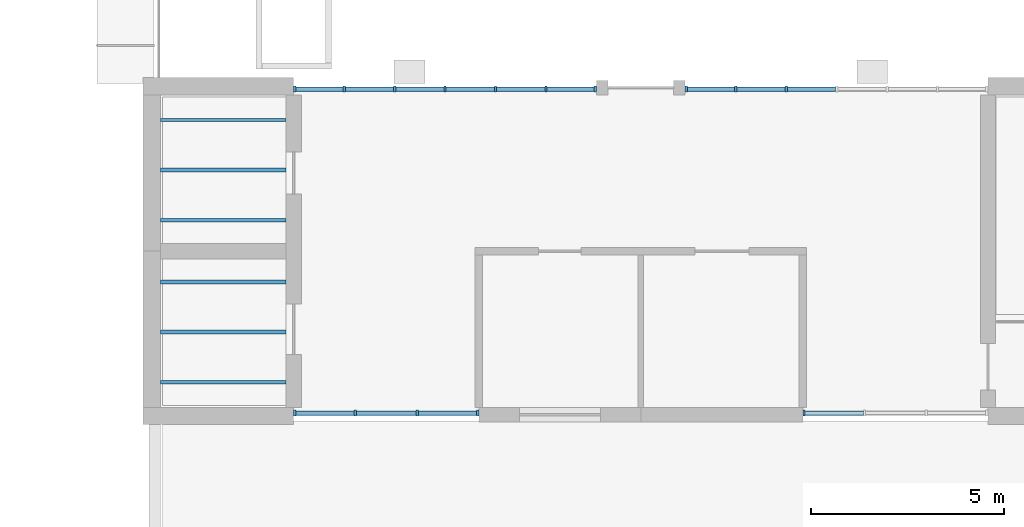
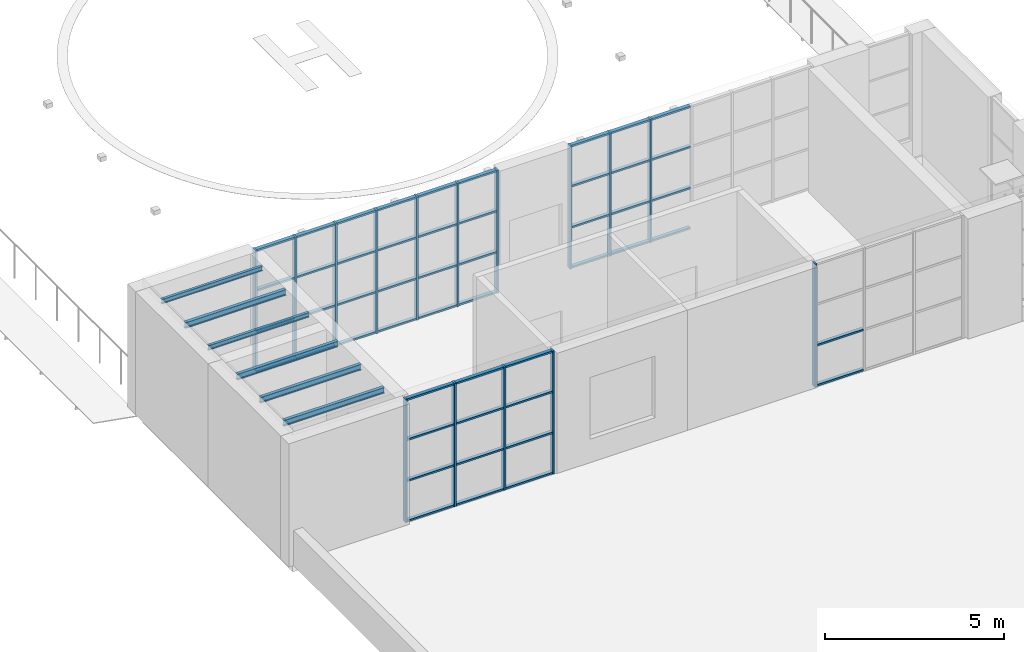
# One storey, part 22 of 66: 65 members, 6 beams, 4 elements without a shape of their own.
"""IFC4 building model written with IfcOpenShell, lengths in metres."""

from ifc_helpers import new_model, si_unit, direction, frame, origin, origin_2d, place, context, subcontext, project, spatial, rectangle, i_section, extrude, material, material_profile, profile_set, type_object, element, aggregate, save


model = new_model("IFC4")

# Units and contexts
model_context = context("Model", 3, precision=1e-05, world=origin(), true_north=direction((0.0, 1.0)))
body_context = subcontext(model_context, "Body", "Model", "MODEL_VIEW")
ifc_project = project(units=[si_unit("LENGTHUNIT", "METRE"), si_unit("AREAUNIT", "SQUARE_METRE"), si_unit("VOLUMEUNIT", "CUBIC_METRE"), si_unit("PLANEANGLEUNIT", "RADIAN"), si_unit("MASSUNIT", "GRAM", prefix="KILO")], contexts=[model_context])

# Site, building, storey
site_placement = place(None, origin())
site = spatial("IfcSite", under=ifc_project, at=site_placement, CompositionType="ELEMENT")
building_placement = place(site_placement, origin())
building = spatial("IfcBuilding", under=site, at=building_placement, Name="Yavir Park General Hospital", CompositionType="ELEMENT")
storey_placement = place(building_placement, frame((0.0, 0.0, 8.39990234375)))
storey = spatial("IfcBuildingStorey", under=building, at=storey_placement, Name="L02", CompositionType="ELEMENT", Elevation=8.39990234375)

# Curtain wall, members
ifc_material_1 = material(Name="Aluminium curtain wall frame with insulated glazing", Category="aluminium")
curtain_wall_type = type_object("IfcCurtainWallType", Name="Helipad lobby glazing, 4200 high, 1400 module", PredefinedType="NOTDEFINED", material=ifc_material_1)
curtain_wall_1_placement = place(storey_placement, origin())
curtain_wall_1 = element("IfcCurtainWall", 1, at=curtain_wall_1_placement, inside=storey, type_object=curtain_wall_type, Name="CW7 L02-008", PredefinedType="NOTDEFINED")
ifc_material_2 = material(Name="Aluminium", Category="aluminium")
ifc_material_profile_1 = material_profile(ifc_material_2, rectangle(XDim=0.159912109375, YDim=0.06005859375, at=origin_2d()), Name="AL 60x160")
ifc_profile_set_1 = profile_set([ifc_material_profile_1], Name="Aluminium")
member_type_1 = type_object("IfcMemberType", Name="Helipad lobby glazing, 4200 high mullion 60 x 160", PredefinedType="MULLION", material=ifc_profile_set_1)
member_1_placement = place(storey_placement, frame((146.429931640625, 75.60009765625, 0.0), z_axis=(0.0, 0.0, 1.0), x_axis=(0.0, 1.0, 0.0)))
member_1 = element("IfcMember", 2, at=member_1_placement, type_object=member_type_1, Name="CW7 mullion 1", PredefinedType="MULLION", context=body_context, shape_type="SweptSolid", body=[
    extrude(rectangle(XDim=0.159912109375, YDim=0.06005859375, at=origin_2d()), origin(), (0.0, 0.0, 1.0), 4.2001953125),
])
member_2_placement = place(storey_placement, frame((148.0, 75.60009765625, 0.0), z_axis=(0.0, 0.0, 1.0), x_axis=(0.0, 1.0, 0.0)))
member_2 = element("IfcMember", 3, at=member_2_placement, type_object=member_type_1, Name="CW7 mullion 2", PredefinedType="MULLION", context=body_context, shape_type="SweptSolid", body=[
    extrude(rectangle(XDim=0.159912109375, YDim=0.06005859375, at=origin_2d()), origin(), (0.0, 0.0, 1.0), 4.2001953125),
])
member_3_placement = place(storey_placement, frame((149.60009765625, 75.60009765625, 0.0), z_axis=(0.0, 0.0, 1.0), x_axis=(0.0, 1.0, 0.0)))
member_3 = element("IfcMember", 4, at=member_3_placement, type_object=member_type_1, Name="CW7 mullion 3", PredefinedType="MULLION", context=body_context, shape_type="SweptSolid", body=[
    extrude(rectangle(XDim=0.159912109375, YDim=0.06005859375, at=origin_2d()), origin(), (0.0, 0.0, 1.0), 4.2001953125),
])
member_4_placement = place(storey_placement, frame((151.169921875, 75.60009765625, 0.0), z_axis=(0.0, 0.0, 1.0), x_axis=(0.0, 1.0, 0.0)))
member_4 = element("IfcMember", 5, at=member_4_placement, type_object=member_type_1, Name="CW7 mullion 4", PredefinedType="MULLION", context=body_context, shape_type="SweptSolid", body=[
    extrude(rectangle(XDim=0.159912109375, YDim=0.06005859375, at=origin_2d()), origin(), (0.0, 0.0, 1.0), 4.2001953125),
])

# Curtain wall, member
curtain_wall_2_placement = place(storey_placement, origin())
curtain_wall_2 = element("IfcCurtainWall", 6, at=curtain_wall_2_placement, inside=storey, type_object=curtain_wall_type, Name="CW7 L02-009", PredefinedType="NOTDEFINED")
member_5_placement = place(storey_placement, frame((159.6298828125, 75.60009765625, 0.0), z_axis=(0.0, 0.0, 1.0), x_axis=(0.0, 1.0, 0.0)))
member_5 = element("IfcMember", 7, at=member_5_placement, type_object=member_type_1, Name="CW7 mullion 1", PredefinedType="MULLION", context=body_context, shape_type="SweptSolid", body=[
    extrude(rectangle(XDim=0.159912109375, YDim=0.06005859375, at=origin_2d()), origin(), (0.0, 0.0, 1.0), 4.2001953125),
])

# Curtain wall, members
curtain_wall_3_placement = place(storey_placement, origin())
curtain_wall_3 = element("IfcCurtainWall", 8, at=curtain_wall_3_placement, inside=storey, type_object=curtain_wall_type, Name="CW7 L02-011", PredefinedType="NOTDEFINED")
member_6_placement = place(storey_placement, frame((146.429931640625, 84.0, 0.0), z_axis=(0.0, 0.0, 1.0), x_axis=(0.0, 1.0, 0.0)))
member_6 = element("IfcMember", 9, at=member_6_placement, type_object=member_type_1, Name="CW7 mullion 1", PredefinedType="MULLION", context=body_context, shape_type="SweptSolid", body=[
    extrude(rectangle(XDim=0.159912109375, YDim=0.06005859375, at=origin_2d()), origin(), (0.0, 0.0, 1.0), 4.2001953125),
])
member_7_placement = place(storey_placement, frame((147.708251953125, 84.0, 0.0), z_axis=(0.0, 0.0, 1.0), x_axis=(0.0, 1.0, 0.0)))
member_7 = element("IfcMember", 10, at=member_7_placement, type_object=member_type_1, Name="CW7 mullion 2", PredefinedType="MULLION", context=body_context, shape_type="SweptSolid", body=[
    extrude(rectangle(XDim=0.159912109375, YDim=0.06005859375, at=origin_2d()), origin(), (0.0, 0.0, 1.0), 4.2001953125),
])
member_8_placement = place(storey_placement, frame((149.0166015625, 84.0, 0.0), z_axis=(0.0, 0.0, 1.0), x_axis=(0.0, 1.0, 0.0)))
member_8 = element("IfcMember", 11, at=member_8_placement, type_object=member_type_1, Name="CW7 mullion 3", PredefinedType="MULLION", context=body_context, shape_type="SweptSolid", body=[
    extrude(rectangle(XDim=0.159912109375, YDim=0.06005859375, at=origin_2d()), origin(), (0.0, 0.0, 1.0), 4.2001953125),
])
member_9_placement = place(storey_placement, frame((150.324951171875, 84.0, 0.0), z_axis=(0.0, 0.0, 1.0), x_axis=(0.0, 1.0, 0.0)))
member_9 = element("IfcMember", 12, at=member_9_placement, type_object=member_type_1, Name="CW7 mullion 4", PredefinedType="MULLION", context=body_context, shape_type="SweptSolid", body=[
    extrude(rectangle(XDim=0.159912109375, YDim=0.06005859375, at=origin_2d()), origin(), (0.0, 0.0, 1.0), 4.2001953125),
])
member_10_placement = place(storey_placement, frame((151.63330078125, 84.0, 0.0), z_axis=(0.0, 0.0, 1.0), x_axis=(0.0, 1.0, 0.0)))
member_10 = element("IfcMember", 13, at=member_10_placement, type_object=member_type_1, Name="CW7 mullion 5", PredefinedType="MULLION", context=body_context, shape_type="SweptSolid", body=[
    extrude(rectangle(XDim=0.159912109375, YDim=0.06005859375, at=origin_2d()), origin(), (0.0, 0.0, 1.0), 4.2001953125),
])
member_11_placement = place(storey_placement, frame((152.941650390625, 84.0, 0.0), z_axis=(0.0, 0.0, 1.0), x_axis=(0.0, 1.0, 0.0)))
member_11 = element("IfcMember", 14, at=member_11_placement, type_object=member_type_1, Name="CW7 mullion 6", PredefinedType="MULLION", context=body_context, shape_type="SweptSolid", body=[
    extrude(rectangle(XDim=0.159912109375, YDim=0.06005859375, at=origin_2d()), origin(), (0.0, 0.0, 1.0), 4.2001953125),
])
member_12_placement = place(storey_placement, frame((154.219970703125, 84.0, 0.0), z_axis=(0.0, 0.0, 1.0), x_axis=(0.0, 1.0, 0.0)))
member_12 = element("IfcMember", 15, at=member_12_placement, type_object=member_type_1, Name="CW7 mullion 7", PredefinedType="MULLION", context=body_context, shape_type="SweptSolid", body=[
    extrude(rectangle(XDim=0.159912109375, YDim=0.06005859375, at=origin_2d()), origin(), (0.0, 0.0, 1.0), 4.2001953125),
])

curtain_wall_4_placement = place(storey_placement, origin())
curtain_wall_4 = element("IfcCurtainWall", 16, at=curtain_wall_4_placement, inside=storey, type_object=curtain_wall_type, Name="CW7 L02-012", PredefinedType="NOTDEFINED")
member_13_placement = place(storey_placement, frame((156.580078125, 84.0, 0.0), z_axis=(0.0, 0.0, 1.0), x_axis=(0.0, 1.0, 0.0)))
member_13 = element("IfcMember", 17, at=member_13_placement, type_object=member_type_1, Name="CW7 mullion 1", PredefinedType="MULLION", context=body_context, shape_type="SweptSolid", body=[
    extrude(rectangle(XDim=0.159912109375, YDim=0.06005859375, at=origin_2d()), origin(), (0.0, 0.0, 1.0), 4.2001953125),
])
member_14_placement = place(storey_placement, frame((157.8583984375, 84.0, 0.0), z_axis=(0.0, 0.0, 1.0), x_axis=(0.0, 1.0, 0.0)))
member_14 = element("IfcMember", 18, at=member_14_placement, type_object=member_type_1, Name="CW7 mullion 2", PredefinedType="MULLION", context=body_context, shape_type="SweptSolid", body=[
    extrude(rectangle(XDim=0.159912109375, YDim=0.06005859375, at=origin_2d()), origin(), (0.0, 0.0, 1.0), 4.2001953125),
])
member_15_placement = place(storey_placement, frame((159.166748046875, 84.0, 0.0), z_axis=(0.0, 0.0, 1.0), x_axis=(0.0, 1.0, 0.0)))
member_15 = element("IfcMember", 19, at=member_15_placement, type_object=member_type_1, Name="CW7 mullion 3", PredefinedType="MULLION", context=body_context, shape_type="SweptSolid", body=[
    extrude(rectangle(XDim=0.159912109375, YDim=0.06005859375, at=origin_2d()), origin(), (0.0, 0.0, 1.0), 4.2001953125),
])

# Member
ifc_material_3 = material(Name="Aluminium", Category="aluminium")
ifc_material_profile_2 = material_profile(ifc_material_3, rectangle(XDim=0.1201171875, YDim=0.06005859375, at=origin_2d()), Name="AL 120x60")
ifc_profile_set_2 = profile_set([ifc_material_profile_2], Name="Aluminium")
member_type_2 = type_object("IfcMemberType", Name="Helipad lobby glazing, 4200 high transom 60 x 120", PredefinedType="MULLION", material=ifc_profile_set_2)
member_16_placement = place(storey_placement, frame((146.4599609375, 75.60009765625, 0.030029296875), z_axis=(1.0, 0.0, 0.0), x_axis=(0.0, 1.0, 0.0)))
member_16 = element("IfcMember", 20, at=member_16_placement, type_object=member_type_2, Name="CW7 transom 1.1", PredefinedType="MULLION", context=body_context, shape_type="SweptSolid", body=[
    extrude(rectangle(XDim=0.1201171875, YDim=0.06005859375, at=origin_2d()), origin(), (0.0, 0.0, 1.0), 1.510009765625),
])

member_17_placement = place(storey_placement, frame((146.4599609375, 75.60009765625, 1.400146484375), z_axis=(1.0, 0.0, 0.0), x_axis=(0.0, 1.0, 0.0)))
member_17 = element("IfcMember", 21, at=member_17_placement, type_object=member_type_2, Name="CW7 transom 1.2", PredefinedType="MULLION", context=body_context, shape_type="SweptSolid", body=[
    extrude(rectangle(XDim=0.1201171875, YDim=0.06005859375, at=origin_2d()), origin(), (0.0, 0.0, 1.0), 1.510009765625),
])

member_18_placement = place(storey_placement, frame((146.4599609375, 75.60009765625, 2.800048828125), z_axis=(1.0, 0.0, 0.0), x_axis=(0.0, 1.0, 0.0)))
member_18 = element("IfcMember", 22, at=member_18_placement, type_object=member_type_2, Name="CW7 transom 1.3", PredefinedType="MULLION", context=body_context, shape_type="SweptSolid", body=[
    extrude(rectangle(XDim=0.1201171875, YDim=0.06005859375, at=origin_2d()), origin(), (0.0, 0.0, 1.0), 1.510009765625),
])

member_19_placement = place(storey_placement, frame((146.4599609375, 75.60009765625, 4.170166015625), z_axis=(1.0, 0.0, 0.0), x_axis=(0.0, 1.0, 0.0)))
member_19 = element("IfcMember", 23, at=member_19_placement, type_object=member_type_2, Name="CW7 transom 1.4", PredefinedType="MULLION", context=body_context, shape_type="SweptSolid", body=[
    extrude(rectangle(XDim=0.1201171875, YDim=0.06005859375, at=origin_2d()), origin(), (0.0, 0.0, 1.0), 1.510009765625),
])

member_20_placement = place(storey_placement, frame((148.030029296875, 75.60009765625, 0.030029296875), z_axis=(1.0, 0.0, 0.0), x_axis=(0.0, 1.0, 0.0)))
member_20 = element("IfcMember", 24, at=member_20_placement, type_object=member_type_2, Name="CW7 transom 2.1", PredefinedType="MULLION", context=body_context, shape_type="SweptSolid", body=[
    extrude(rectangle(XDim=0.1201171875, YDim=0.06005859375, at=origin_2d()), origin(), (0.0, 0.0, 1.0), 1.5400390625),
])

member_21_placement = place(storey_placement, frame((148.030029296875, 75.60009765625, 1.400146484375), z_axis=(1.0, 0.0, 0.0), x_axis=(0.0, 1.0, 0.0)))
member_21 = element("IfcMember", 25, at=member_21_placement, type_object=member_type_2, Name="CW7 transom 2.2", PredefinedType="MULLION", context=body_context, shape_type="SweptSolid", body=[
    extrude(rectangle(XDim=0.1201171875, YDim=0.06005859375, at=origin_2d()), origin(), (0.0, 0.0, 1.0), 1.5400390625),
])

member_22_placement = place(storey_placement, frame((148.030029296875, 75.60009765625, 2.800048828125), z_axis=(1.0, 0.0, 0.0), x_axis=(0.0, 1.0, 0.0)))
member_22 = element("IfcMember", 26, at=member_22_placement, type_object=member_type_2, Name="CW7 transom 2.3", PredefinedType="MULLION", context=body_context, shape_type="SweptSolid", body=[
    extrude(rectangle(XDim=0.1201171875, YDim=0.06005859375, at=origin_2d()), origin(), (0.0, 0.0, 1.0), 1.5400390625),
])

member_23_placement = place(storey_placement, frame((148.030029296875, 75.60009765625, 4.170166015625), z_axis=(1.0, 0.0, 0.0), x_axis=(0.0, 1.0, 0.0)))
member_23 = element("IfcMember", 27, at=member_23_placement, type_object=member_type_2, Name="CW7 transom 2.4", PredefinedType="MULLION", context=body_context, shape_type="SweptSolid", body=[
    extrude(rectangle(XDim=0.1201171875, YDim=0.06005859375, at=origin_2d()), origin(), (0.0, 0.0, 1.0), 1.5400390625),
])

member_24_placement = place(storey_placement, frame((149.6298828125, 75.60009765625, 0.030029296875), z_axis=(1.0, 0.0, 0.0), x_axis=(0.0, 1.0, 0.0)))
member_24 = element("IfcMember", 28, at=member_24_placement, type_object=member_type_2, Name="CW7 transom 3.1", PredefinedType="MULLION", context=body_context, shape_type="SweptSolid", body=[
    extrude(rectangle(XDim=0.1201171875, YDim=0.06005859375, at=origin_2d()), origin(), (0.0, 0.0, 1.0), 1.510009765625),
])

member_25_placement = place(storey_placement, frame((149.6298828125, 75.60009765625, 1.400146484375), z_axis=(1.0, 0.0, 0.0), x_axis=(0.0, 1.0, 0.0)))
member_25 = element("IfcMember", 29, at=member_25_placement, type_object=member_type_2, Name="CW7 transom 3.2", PredefinedType="MULLION", context=body_context, shape_type="SweptSolid", body=[
    extrude(rectangle(XDim=0.1201171875, YDim=0.06005859375, at=origin_2d()), origin(), (0.0, 0.0, 1.0), 1.510009765625),
])

member_26_placement = place(storey_placement, frame((149.6298828125, 75.60009765625, 2.800048828125), z_axis=(1.0, 0.0, 0.0), x_axis=(0.0, 1.0, 0.0)))
member_26 = element("IfcMember", 30, at=member_26_placement, type_object=member_type_2, Name="CW7 transom 3.3", PredefinedType="MULLION", context=body_context, shape_type="SweptSolid", body=[
    extrude(rectangle(XDim=0.1201171875, YDim=0.06005859375, at=origin_2d()), origin(), (0.0, 0.0, 1.0), 1.510009765625),
])

member_27_placement = place(storey_placement, frame((149.6298828125, 75.60009765625, 4.170166015625), z_axis=(1.0, 0.0, 0.0), x_axis=(0.0, 1.0, 0.0)))
member_27 = element("IfcMember", 31, at=member_27_placement, type_object=member_type_2, Name="CW7 transom 3.4", PredefinedType="MULLION", context=body_context, shape_type="SweptSolid", body=[
    extrude(rectangle(XDim=0.1201171875, YDim=0.06005859375, at=origin_2d()), origin(), (0.0, 0.0, 1.0), 1.510009765625),
])

aggregate(curtain_wall_1, [member_1, member_2, member_3, member_4, member_16, member_17, member_18, member_19, member_20, member_21, member_22, member_23, member_24, member_25, member_26, member_27])

member_28_placement = place(storey_placement, frame((159.659912109375, 75.60009765625, 0.030029296875), z_axis=(1.0, 0.0, 0.0), x_axis=(0.0, 1.0, 0.0)))
member_28 = element("IfcMember", 32, at=member_28_placement, type_object=member_type_2, Name="CW7 transom 1.1", PredefinedType="MULLION", context=body_context, shape_type="SweptSolid", body=[
    extrude(rectangle(XDim=0.1201171875, YDim=0.06005859375, at=origin_2d()), origin(), (0.0, 0.0, 1.0), 1.510009765625),
])

member_29_placement = place(storey_placement, frame((159.659912109375, 75.60009765625, 1.400146484375), z_axis=(1.0, 0.0, 0.0), x_axis=(0.0, 1.0, 0.0)))
member_29 = element("IfcMember", 33, at=member_29_placement, type_object=member_type_2, Name="CW7 transom 1.2", PredefinedType="MULLION", context=body_context, shape_type="SweptSolid", body=[
    extrude(rectangle(XDim=0.1201171875, YDim=0.06005859375, at=origin_2d()), origin(), (0.0, 0.0, 1.0), 1.510009765625),
])

aggregate(curtain_wall_2, [member_5, member_28, member_29])

member_30_placement = place(storey_placement, frame((146.4599609375, 84.0, 0.030029296875), z_axis=(1.0, 0.0, 0.0), x_axis=(0.0, 1.0, 0.0)))
member_30 = element("IfcMember", 34, at=member_30_placement, type_object=member_type_2, Name="CW7 transom 1.1", PredefinedType="MULLION", context=body_context, shape_type="SweptSolid", body=[
    extrude(rectangle(XDim=0.1201171875, YDim=0.06005859375, at=origin_2d()), origin(), (0.0, 0.0, 1.0), 1.21826171875),
])

member_31_placement = place(storey_placement, frame((146.4599609375, 84.0, 1.400146484375), z_axis=(1.0, 0.0, 0.0), x_axis=(0.0, 1.0, 0.0)))
member_31 = element("IfcMember", 35, at=member_31_placement, type_object=member_type_2, Name="CW7 transom 1.2", PredefinedType="MULLION", context=body_context, shape_type="SweptSolid", body=[
    extrude(rectangle(XDim=0.1201171875, YDim=0.06005859375, at=origin_2d()), origin(), (0.0, 0.0, 1.0), 1.21826171875),
])

member_32_placement = place(storey_placement, frame((146.4599609375, 84.0, 2.800048828125), z_axis=(1.0, 0.0, 0.0), x_axis=(0.0, 1.0, 0.0)))
member_32 = element("IfcMember", 36, at=member_32_placement, type_object=member_type_2, Name="CW7 transom 1.3", PredefinedType="MULLION", context=body_context, shape_type="SweptSolid", body=[
    extrude(rectangle(XDim=0.1201171875, YDim=0.06005859375, at=origin_2d()), origin(), (0.0, 0.0, 1.0), 1.21826171875),
])

member_33_placement = place(storey_placement, frame((146.4599609375, 84.0, 4.170166015625), z_axis=(1.0, 0.0, 0.0), x_axis=(0.0, 1.0, 0.0)))
member_33 = element("IfcMember", 37, at=member_33_placement, type_object=member_type_2, Name="CW7 transom 1.4", PredefinedType="MULLION", context=body_context, shape_type="SweptSolid", body=[
    extrude(rectangle(XDim=0.1201171875, YDim=0.06005859375, at=origin_2d()), origin(), (0.0, 0.0, 1.0), 1.21826171875),
])

member_34_placement = place(storey_placement, frame((147.73828125, 84.0, 0.030029296875), z_axis=(1.0, 0.0, 0.0), x_axis=(0.0, 1.0, 0.0)))
member_34 = element("IfcMember", 38, at=member_34_placement, type_object=member_type_2, Name="CW7 transom 2.1", PredefinedType="MULLION", context=body_context, shape_type="SweptSolid", body=[
    extrude(rectangle(XDim=0.1201171875, YDim=0.06005859375, at=origin_2d()), origin(), (0.0, 0.0, 1.0), 1.248291015625),
])

member_35_placement = place(storey_placement, frame((147.73828125, 84.0, 1.400146484375), z_axis=(1.0, 0.0, 0.0), x_axis=(0.0, 1.0, 0.0)))
member_35 = element("IfcMember", 39, at=member_35_placement, type_object=member_type_2, Name="CW7 transom 2.2", PredefinedType="MULLION", context=body_context, shape_type="SweptSolid", body=[
    extrude(rectangle(XDim=0.1201171875, YDim=0.06005859375, at=origin_2d()), origin(), (0.0, 0.0, 1.0), 1.248291015625),
])

member_36_placement = place(storey_placement, frame((147.73828125, 84.0, 2.800048828125), z_axis=(1.0, 0.0, 0.0), x_axis=(0.0, 1.0, 0.0)))
member_36 = element("IfcMember", 40, at=member_36_placement, type_object=member_type_2, Name="CW7 transom 2.3", PredefinedType="MULLION", context=body_context, shape_type="SweptSolid", body=[
    extrude(rectangle(XDim=0.1201171875, YDim=0.06005859375, at=origin_2d()), origin(), (0.0, 0.0, 1.0), 1.248291015625),
])

member_37_placement = place(storey_placement, frame((147.73828125, 84.0, 4.170166015625), z_axis=(1.0, 0.0, 0.0), x_axis=(0.0, 1.0, 0.0)))
member_37 = element("IfcMember", 41, at=member_37_placement, type_object=member_type_2, Name="CW7 transom 2.4", PredefinedType="MULLION", context=body_context, shape_type="SweptSolid", body=[
    extrude(rectangle(XDim=0.1201171875, YDim=0.06005859375, at=origin_2d()), origin(), (0.0, 0.0, 1.0), 1.248291015625),
])

member_38_placement = place(storey_placement, frame((149.046630859375, 84.0, 0.030029296875), z_axis=(1.0, 0.0, 0.0), x_axis=(0.0, 1.0, 0.0)))
member_38 = element("IfcMember", 42, at=member_38_placement, type_object=member_type_2, Name="CW7 transom 3.1", PredefinedType="MULLION", context=body_context, shape_type="SweptSolid", body=[
    extrude(rectangle(XDim=0.1201171875, YDim=0.06005859375, at=origin_2d()), origin(), (0.0, 0.0, 1.0), 1.248291015625),
])

member_39_placement = place(storey_placement, frame((149.046630859375, 84.0, 1.400146484375), z_axis=(1.0, 0.0, 0.0), x_axis=(0.0, 1.0, 0.0)))
member_39 = element("IfcMember", 43, at=member_39_placement, type_object=member_type_2, Name="CW7 transom 3.2", PredefinedType="MULLION", context=body_context, shape_type="SweptSolid", body=[
    extrude(rectangle(XDim=0.1201171875, YDim=0.06005859375, at=origin_2d()), origin(), (0.0, 0.0, 1.0), 1.248291015625),
])

member_40_placement = place(storey_placement, frame((149.046630859375, 84.0, 2.800048828125), z_axis=(1.0, 0.0, 0.0), x_axis=(0.0, 1.0, 0.0)))
member_40 = element("IfcMember", 44, at=member_40_placement, type_object=member_type_2, Name="CW7 transom 3.3", PredefinedType="MULLION", context=body_context, shape_type="SweptSolid", body=[
    extrude(rectangle(XDim=0.1201171875, YDim=0.06005859375, at=origin_2d()), origin(), (0.0, 0.0, 1.0), 1.248291015625),
])

member_41_placement = place(storey_placement, frame((149.046630859375, 84.0, 4.170166015625), z_axis=(1.0, 0.0, 0.0), x_axis=(0.0, 1.0, 0.0)))
member_41 = element("IfcMember", 45, at=member_41_placement, type_object=member_type_2, Name="CW7 transom 3.4", PredefinedType="MULLION", context=body_context, shape_type="SweptSolid", body=[
    extrude(rectangle(XDim=0.1201171875, YDim=0.06005859375, at=origin_2d()), origin(), (0.0, 0.0, 1.0), 1.248291015625),
])

member_42_placement = place(storey_placement, frame((150.35498046875, 84.0, 0.030029296875), z_axis=(1.0, 0.0, 0.0), x_axis=(0.0, 1.0, 0.0)))
member_42 = element("IfcMember", 46, at=member_42_placement, type_object=member_type_2, Name="CW7 transom 4.1", PredefinedType="MULLION", context=body_context, shape_type="SweptSolid", body=[
    extrude(rectangle(XDim=0.1201171875, YDim=0.06005859375, at=origin_2d()), origin(), (0.0, 0.0, 1.0), 1.248291015625),
])

member_43_placement = place(storey_placement, frame((150.35498046875, 84.0, 1.400146484375), z_axis=(1.0, 0.0, 0.0), x_axis=(0.0, 1.0, 0.0)))
member_43 = element("IfcMember", 47, at=member_43_placement, type_object=member_type_2, Name="CW7 transom 4.2", PredefinedType="MULLION", context=body_context, shape_type="SweptSolid", body=[
    extrude(rectangle(XDim=0.1201171875, YDim=0.06005859375, at=origin_2d()), origin(), (0.0, 0.0, 1.0), 1.248291015625),
])

member_44_placement = place(storey_placement, frame((150.35498046875, 84.0, 2.800048828125), z_axis=(1.0, 0.0, 0.0), x_axis=(0.0, 1.0, 0.0)))
member_44 = element("IfcMember", 48, at=member_44_placement, type_object=member_type_2, Name="CW7 transom 4.3", PredefinedType="MULLION", context=body_context, shape_type="SweptSolid", body=[
    extrude(rectangle(XDim=0.1201171875, YDim=0.06005859375, at=origin_2d()), origin(), (0.0, 0.0, 1.0), 1.248291015625),
])

member_45_placement = place(storey_placement, frame((150.35498046875, 84.0, 4.170166015625), z_axis=(1.0, 0.0, 0.0), x_axis=(0.0, 1.0, 0.0)))
member_45 = element("IfcMember", 49, at=member_45_placement, type_object=member_type_2, Name="CW7 transom 4.4", PredefinedType="MULLION", context=body_context, shape_type="SweptSolid", body=[
    extrude(rectangle(XDim=0.1201171875, YDim=0.06005859375, at=origin_2d()), origin(), (0.0, 0.0, 1.0), 1.248291015625),
])

member_46_placement = place(storey_placement, frame((151.663330078125, 84.0, 0.030029296875), z_axis=(1.0, 0.0, 0.0), x_axis=(0.0, 1.0, 0.0)))
member_46 = element("IfcMember", 50, at=member_46_placement, type_object=member_type_2, Name="CW7 transom 5.1", PredefinedType="MULLION", context=body_context, shape_type="SweptSolid", body=[
    extrude(rectangle(XDim=0.1201171875, YDim=0.06005859375, at=origin_2d()), origin(), (0.0, 0.0, 1.0), 1.248291015625),
])

member_47_placement = place(storey_placement, frame((151.663330078125, 84.0, 1.400146484375), z_axis=(1.0, 0.0, 0.0), x_axis=(0.0, 1.0, 0.0)))
member_47 = element("IfcMember", 51, at=member_47_placement, type_object=member_type_2, Name="CW7 transom 5.2", PredefinedType="MULLION", context=body_context, shape_type="SweptSolid", body=[
    extrude(rectangle(XDim=0.1201171875, YDim=0.06005859375, at=origin_2d()), origin(), (0.0, 0.0, 1.0), 1.248291015625),
])

member_48_placement = place(storey_placement, frame((151.663330078125, 84.0, 2.800048828125), z_axis=(1.0, 0.0, 0.0), x_axis=(0.0, 1.0, 0.0)))
member_48 = element("IfcMember", 52, at=member_48_placement, type_object=member_type_2, Name="CW7 transom 5.3", PredefinedType="MULLION", context=body_context, shape_type="SweptSolid", body=[
    extrude(rectangle(XDim=0.1201171875, YDim=0.06005859375, at=origin_2d()), origin(), (0.0, 0.0, 1.0), 1.248291015625),
])

member_49_placement = place(storey_placement, frame((151.663330078125, 84.0, 4.170166015625), z_axis=(1.0, 0.0, 0.0), x_axis=(0.0, 1.0, 0.0)))
member_49 = element("IfcMember", 53, at=member_49_placement, type_object=member_type_2, Name="CW7 transom 5.4", PredefinedType="MULLION", context=body_context, shape_type="SweptSolid", body=[
    extrude(rectangle(XDim=0.1201171875, YDim=0.06005859375, at=origin_2d()), origin(), (0.0, 0.0, 1.0), 1.248291015625),
])

member_50_placement = place(storey_placement, frame((152.9716796875, 84.0, 0.030029296875), z_axis=(1.0, 0.0, 0.0), x_axis=(0.0, 1.0, 0.0)))
member_50 = element("IfcMember", 54, at=member_50_placement, type_object=member_type_2, Name="CW7 transom 6.1", PredefinedType="MULLION", context=body_context, shape_type="SweptSolid", body=[
    extrude(rectangle(XDim=0.1201171875, YDim=0.06005859375, at=origin_2d()), origin(), (0.0, 0.0, 1.0), 1.21826171875),
])

member_51_placement = place(storey_placement, frame((152.9716796875, 84.0, 1.400146484375), z_axis=(1.0, 0.0, 0.0), x_axis=(0.0, 1.0, 0.0)))
member_51 = element("IfcMember", 55, at=member_51_placement, type_object=member_type_2, Name="CW7 transom 6.2", PredefinedType="MULLION", context=body_context, shape_type="SweptSolid", body=[
    extrude(rectangle(XDim=0.1201171875, YDim=0.06005859375, at=origin_2d()), origin(), (0.0, 0.0, 1.0), 1.21826171875),
])

member_52_placement = place(storey_placement, frame((152.9716796875, 84.0, 2.800048828125), z_axis=(1.0, 0.0, 0.0), x_axis=(0.0, 1.0, 0.0)))
member_52 = element("IfcMember", 56, at=member_52_placement, type_object=member_type_2, Name="CW7 transom 6.3", PredefinedType="MULLION", context=body_context, shape_type="SweptSolid", body=[
    extrude(rectangle(XDim=0.1201171875, YDim=0.06005859375, at=origin_2d()), origin(), (0.0, 0.0, 1.0), 1.21826171875),
])

member_53_placement = place(storey_placement, frame((152.9716796875, 84.0, 4.170166015625), z_axis=(1.0, 0.0, 0.0), x_axis=(0.0, 1.0, 0.0)))
member_53 = element("IfcMember", 57, at=member_53_placement, type_object=member_type_2, Name="CW7 transom 6.4", PredefinedType="MULLION", context=body_context, shape_type="SweptSolid", body=[
    extrude(rectangle(XDim=0.1201171875, YDim=0.06005859375, at=origin_2d()), origin(), (0.0, 0.0, 1.0), 1.21826171875),
])

aggregate(curtain_wall_3, [member_6, member_7, member_8, member_9, member_10, member_11, member_12, member_30, member_31, member_32, member_33, member_34, member_35, member_36, member_37, member_38, member_39, member_40, member_41, member_42, member_43, member_44, member_45, member_46, member_47, member_48, member_49, member_50, member_51, member_52, member_53])

member_54_placement = place(storey_placement, frame((156.610107421875, 84.0, 0.030029296875), z_axis=(1.0, 0.0, 0.0), x_axis=(0.0, 1.0, 0.0)))
member_54 = element("IfcMember", 58, at=member_54_placement, type_object=member_type_2, Name="CW7 transom 1.1", PredefinedType="MULLION", context=body_context, shape_type="SweptSolid", body=[
    extrude(rectangle(XDim=0.1201171875, YDim=0.06005859375, at=origin_2d()), origin(), (0.0, 0.0, 1.0), 1.21826171875),
])

member_55_placement = place(storey_placement, frame((156.610107421875, 84.0, 1.400146484375), z_axis=(1.0, 0.0, 0.0), x_axis=(0.0, 1.0, 0.0)))
member_55 = element("IfcMember", 59, at=member_55_placement, type_object=member_type_2, Name="CW7 transom 1.2", PredefinedType="MULLION", context=body_context, shape_type="SweptSolid", body=[
    extrude(rectangle(XDim=0.1201171875, YDim=0.06005859375, at=origin_2d()), origin(), (0.0, 0.0, 1.0), 1.21826171875),
])

member_56_placement = place(storey_placement, frame((156.610107421875, 84.0, 2.800048828125), z_axis=(1.0, 0.0, 0.0), x_axis=(0.0, 1.0, 0.0)))
member_56 = element("IfcMember", 60, at=member_56_placement, type_object=member_type_2, Name="CW7 transom 1.3", PredefinedType="MULLION", context=body_context, shape_type="SweptSolid", body=[
    extrude(rectangle(XDim=0.1201171875, YDim=0.06005859375, at=origin_2d()), origin(), (0.0, 0.0, 1.0), 1.21826171875),
])

member_57_placement = place(storey_placement, frame((156.610107421875, 84.0, 4.170166015625), z_axis=(1.0, 0.0, 0.0), x_axis=(0.0, 1.0, 0.0)))
member_57 = element("IfcMember", 61, at=member_57_placement, type_object=member_type_2, Name="CW7 transom 1.4", PredefinedType="MULLION", context=body_context, shape_type="SweptSolid", body=[
    extrude(rectangle(XDim=0.1201171875, YDim=0.06005859375, at=origin_2d()), origin(), (0.0, 0.0, 1.0), 1.21826171875),
])

member_58_placement = place(storey_placement, frame((157.888427734375, 84.0, 0.030029296875), z_axis=(1.0, 0.0, 0.0), x_axis=(0.0, 1.0, 0.0)))
member_58 = element("IfcMember", 62, at=member_58_placement, type_object=member_type_2, Name="CW7 transom 2.1", PredefinedType="MULLION", context=body_context, shape_type="SweptSolid", body=[
    extrude(rectangle(XDim=0.1201171875, YDim=0.06005859375, at=origin_2d()), origin(), (0.0, 0.0, 1.0), 1.248291015625),
])

member_59_placement = place(storey_placement, frame((157.888427734375, 84.0, 1.400146484375), z_axis=(1.0, 0.0, 0.0), x_axis=(0.0, 1.0, 0.0)))
member_59 = element("IfcMember", 63, at=member_59_placement, type_object=member_type_2, Name="CW7 transom 2.2", PredefinedType="MULLION", context=body_context, shape_type="SweptSolid", body=[
    extrude(rectangle(XDim=0.1201171875, YDim=0.06005859375, at=origin_2d()), origin(), (0.0, 0.0, 1.0), 1.248291015625),
])

member_60_placement = place(storey_placement, frame((157.888427734375, 84.0, 2.800048828125), z_axis=(1.0, 0.0, 0.0), x_axis=(0.0, 1.0, 0.0)))
member_60 = element("IfcMember", 64, at=member_60_placement, type_object=member_type_2, Name="CW7 transom 2.3", PredefinedType="MULLION", context=body_context, shape_type="SweptSolid", body=[
    extrude(rectangle(XDim=0.1201171875, YDim=0.06005859375, at=origin_2d()), origin(), (0.0, 0.0, 1.0), 1.248291015625),
])

member_61_placement = place(storey_placement, frame((157.888427734375, 84.0, 4.170166015625), z_axis=(1.0, 0.0, 0.0), x_axis=(0.0, 1.0, 0.0)))
member_61 = element("IfcMember", 65, at=member_61_placement, type_object=member_type_2, Name="CW7 transom 2.4", PredefinedType="MULLION", context=body_context, shape_type="SweptSolid", body=[
    extrude(rectangle(XDim=0.1201171875, YDim=0.06005859375, at=origin_2d()), origin(), (0.0, 0.0, 1.0), 1.248291015625),
])

member_62_placement = place(storey_placement, frame((159.19677734375, 84.0, 0.030029296875), z_axis=(1.0, 0.0, 0.0), x_axis=(0.0, 1.0, 0.0)))
member_62 = element("IfcMember", 66, at=member_62_placement, type_object=member_type_2, Name="CW7 transom 3.1", PredefinedType="MULLION", context=body_context, shape_type="SweptSolid", body=[
    extrude(rectangle(XDim=0.1201171875, YDim=0.06005859375, at=origin_2d()), origin(), (0.0, 0.0, 1.0), 1.248291015625),
])

member_63_placement = place(storey_placement, frame((159.19677734375, 84.0, 1.400146484375), z_axis=(1.0, 0.0, 0.0), x_axis=(0.0, 1.0, 0.0)))
member_63 = element("IfcMember", 67, at=member_63_placement, type_object=member_type_2, Name="CW7 transom 3.2", PredefinedType="MULLION", context=body_context, shape_type="SweptSolid", body=[
    extrude(rectangle(XDim=0.1201171875, YDim=0.06005859375, at=origin_2d()), origin(), (0.0, 0.0, 1.0), 1.248291015625),
])

member_64_placement = place(storey_placement, frame((159.19677734375, 84.0, 2.800048828125), z_axis=(1.0, 0.0, 0.0), x_axis=(0.0, 1.0, 0.0)))
member_64 = element("IfcMember", 68, at=member_64_placement, type_object=member_type_2, Name="CW7 transom 3.3", PredefinedType="MULLION", context=body_context, shape_type="SweptSolid", body=[
    extrude(rectangle(XDim=0.1201171875, YDim=0.06005859375, at=origin_2d()), origin(), (0.0, 0.0, 1.0), 1.248291015625),
])

member_65_placement = place(storey_placement, frame((159.19677734375, 84.0, 4.170166015625), z_axis=(1.0, 0.0, 0.0), x_axis=(0.0, 1.0, 0.0)))
member_65 = element("IfcMember", 69, at=member_65_placement, type_object=member_type_2, Name="CW7 transom 3.4", PredefinedType="MULLION", context=body_context, shape_type="SweptSolid", body=[
    extrude(rectangle(XDim=0.1201171875, YDim=0.06005859375, at=origin_2d()), origin(), (0.0, 0.0, 1.0), 1.248291015625),
])

aggregate(curtain_wall_4, [member_13, member_14, member_15, member_54, member_55, member_56, member_57, member_58, member_59, member_60, member_61, member_62, member_63, member_64, member_65])

# Beams
ifc_material_4 = material(Name="Steel S355", Category="steel")
ifc_material_profile_3 = material_profile(ifc_material_4, i_section(OverallWidth=0.08203125, OverallDepth=0.159912109375, WebThickness=0.0048828125, FlangeThickness=0.00732421875, FilletRadius=0.009033203125, at=origin_2d()), Name="IPE160")
ifc_profile_set_3 = profile_set([ifc_material_profile_3], Name="Steel S355")
beam_type_1 = type_object("IfcBeamType", Name="IPE 160 lift machine beam", PredefinedType="BEAM", material=ifc_profile_set_3)
for number, where, z_axis, x_axis, name in (
    (70, (142.949951171875, 80.60009765625, 4.1201171875), (1.0, 0.0, 0.0), (0.0, 1.0, 0.0), "B:MACH:PL7:0"),
    (71, (142.949951171875, 83.199951171875, 4.1201171875), (1.0, 0.0, 0.0), (0.0, 1.0, 0.0), "B:MACH:PL7:1"),
):
    element("IfcBeam", number, at=place(storey_placement, frame(where, z_axis=z_axis, x_axis=x_axis)), inside=storey, type_object=beam_type_1, Name=name, PredefinedType="BEAM", context=body_context, shape_type="SweptSolid", body=[
        extrude(i_section(OverallWidth=0.08203125, OverallDepth=0.159912109375, WebThickness=0.0048828125, FlangeThickness=0.00732421875, FilletRadius=0.009033203125, at=origin_2d()), origin(), (0.0, 0.0, 1.0), 3.25),
    ])
ifc_material_5 = material(Name="Steel S355", Category="steel")
ifc_material_profile_4 = material_profile(ifc_material_5, i_section(OverallWidth=0.10009765625, OverallDepth=0.199951171875, WebThickness=0.005615234375, FlangeThickness=0.008544921875, FilletRadius=0.011962890625, at=origin_2d()), Name="IPE200")
ifc_profile_set_4 = profile_set([ifc_material_profile_4], Name="Steel S355")
beam_type_2 = type_object("IfcBeamType", Name="IPE 200 lift hoist beam", PredefinedType="BEAM", material=ifc_profile_set_4)
for number, where, z_axis, x_axis, name in (
    (72, (142.949951171875, 77.699951171875, 4.10009765625), (1.0, 0.0, 0.0), (0.0, 1.0, 0.0), "B:HOIST:BL6"),
    (73, (142.949951171875, 81.89990234375, 4.10009765625), (1.0, 0.0, 0.0), (0.0, 1.0, 0.0), "B:HOIST:PL7"),
):
    element("IfcBeam", number, at=place(storey_placement, frame(where, z_axis=z_axis, x_axis=x_axis)), inside=storey, type_object=beam_type_2, Name=name, PredefinedType="BEAM", context=body_context, shape_type="SweptSolid", body=[
        extrude(i_section(OverallWidth=0.10009765625, OverallDepth=0.199951171875, WebThickness=0.005615234375, FlangeThickness=0.008544921875, FilletRadius=0.011962890625, at=origin_2d()), origin(), (0.0, 0.0, 1.0), 3.25),
    ])
ifc_material_6 = material(Name="Steel S355", Category="steel")
ifc_material_profile_5 = material_profile(ifc_material_6, i_section(OverallWidth=0.10009765625, OverallDepth=0.199951171875, WebThickness=0.005615234375, FlangeThickness=0.008544921875, FilletRadius=0.011962890625, at=origin_2d()), Name="IPE200")
ifc_profile_set_5 = profile_set([ifc_material_profile_5], Name="Steel S355")
beam_type_3 = type_object("IfcBeamType", Name="IPE 200 lift machine beam", PredefinedType="BEAM", material=ifc_profile_set_5)
for number, where, z_axis, x_axis, name in (
    (74, (142.949951171875, 76.39990234375, 4.10009765625), (1.0, 0.0, 0.0), (0.0, 1.0, 0.0), "B:MACH:BL6:0"),
    (75, (142.949951171875, 79.0, 4.10009765625), (1.0, 0.0, 0.0), (0.0, 1.0, 0.0), "B:MACH:BL6:1"),
):
    element("IfcBeam", number, at=place(storey_placement, frame(where, z_axis=z_axis, x_axis=x_axis)), inside=storey, type_object=beam_type_3, Name=name, PredefinedType="BEAM", context=body_context, shape_type="SweptSolid", body=[
        extrude(i_section(OverallWidth=0.10009765625, OverallDepth=0.199951171875, WebThickness=0.005615234375, FlangeThickness=0.008544921875, FilletRadius=0.011962890625, at=origin_2d()), origin(), (0.0, 0.0, 1.0), 3.25),
    ])

save(model, "model.ifc")
